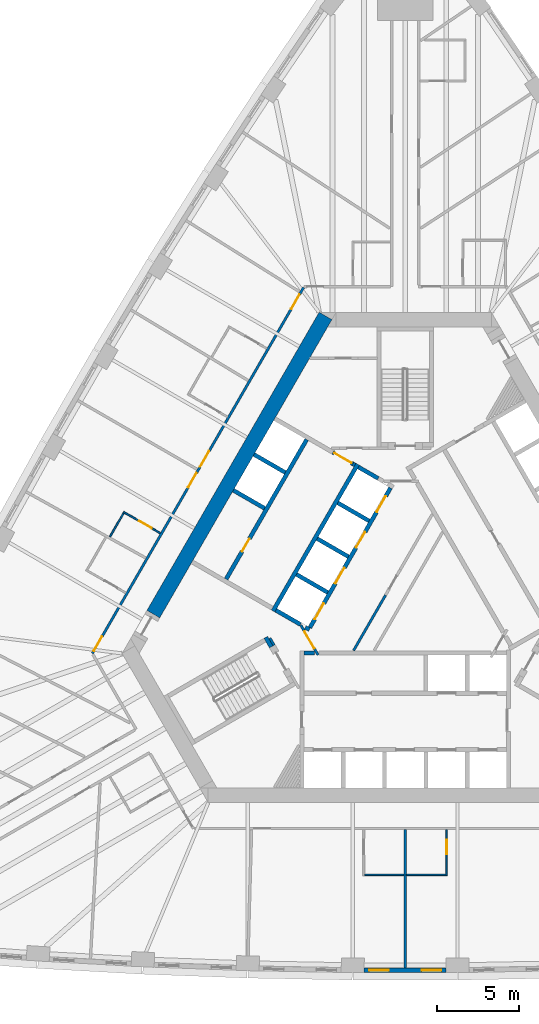
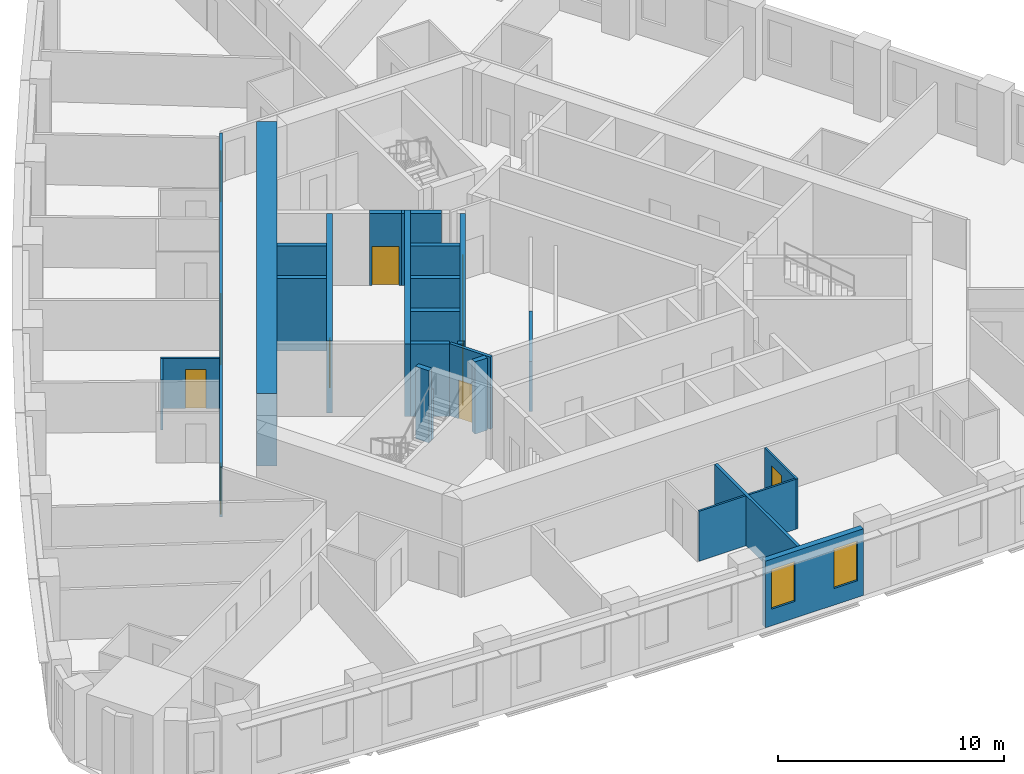
# One storey, part 5 of 12: 27 walls, 13 doors, 2 windows, 15 openings.
"""IFC4 building model written with IfcOpenShell, lengths in metres."""

from ifc_helpers import new_model, si_unit, direction, frame, frame_2d, origin, place, context, subcontext, project, spatial, polyline, rectangle, outline, extrude, material, layer, layer_set, type_object, element, fill, save


model = new_model("IFC4")

# Units and contexts
model_context = context("Model", 3, precision=1e-05, world=origin(), true_north=direction((0.0, 1.0)))
body_context = subcontext(model_context, "Body", "Model", "MODEL_VIEW")
ifc_project = project(units=[si_unit("LENGTHUNIT", "METRE"), si_unit("AREAUNIT", "SQUARE_METRE"), si_unit("VOLUMEUNIT", "CUBIC_METRE"), si_unit("PLANEANGLEUNIT", "RADIAN"), si_unit("MASSUNIT", "GRAM", prefix="KILO")], contexts=[model_context])

# Site, building, storey
site_placement = place(None, origin())
site = spatial("IfcSite", under=ifc_project, at=site_placement, CompositionType="ELEMENT")
building_placement = place(site_placement, origin())
building = spatial("IfcBuilding", under=site, at=building_placement, Name="Mestral Congress Tower", CompositionType="ELEMENT")
storey_placement = place(building_placement, frame((0.0, 0.0, 74.39990234375)))
storey = spatial("IfcBuildingStorey", under=building, at=storey_placement, Name="L17", CompositionType="ELEMENT", Elevation=74.39990234375)

# Walls
ifc_material_1 = material(Name="Fire-rated board partition")
ifc_layer_1 = layer(ifc_material_1, 0.14990234375)
ifc_layer_set_1 = layer_set([ifc_layer_1], Name="Fire-rated board partition")
wall_type_1 = type_object("IfcWallType", Name="Core partition 150", PredefinedType="PARTITIONING", material=ifc_layer_set_1)
wall_1_placement = place(storey_placement, frame((-8.251953125, -2.958251953125, 0.0), z_axis=(0.0, 0.0, 1.0), x_axis=(0.500174715838, -0.865924508047, 0.0)))
element("IfcWall", 1, at=wall_1_placement, inside=storey, type_object=wall_type_1, Name="L17 core wall", PredefinedType="PARTITIONING", context=body_context, shape_type="SweptSolid", body=[
    extrude(rectangle(XDim=0.513916015625, YDim=0.14990234375, at=frame_2d((0.2568359375, 0.0))), origin(), (0.0, 0.0, 1.0), 2.7001953125),
])
wall_2_placement = place(storey_placement, frame((-3.146728515625, -3.71826171875, 0.0), z_axis=(0.0, 0.0, 1.0), x_axis=(0.500010131483, 0.866019554291, 0.0)))
element("IfcWall", 2, at=wall_2_placement, inside=storey, type_object=wall_type_1, Name="L17 core wall", PredefinedType="PARTITIONING", context=body_context, shape_type="SweptSolid", body=[
    extrude(rectangle(XDim=3.8935546875, YDim=0.14990234375, at=frame_2d((1.94677734375, 0.0))), origin(), (0.0, 0.0, 1.0), 2.7001953125),
])
ifc_material_2 = material(Name="Concrete C60/75", Category="concrete")
ifc_layer_2 = layer(ifc_material_2, 0.89990234375)
ifc_layer_set_2 = layer_set([ifc_layer_2], Name="Concrete C60/75")
wall_type_2 = type_object("IfcWallType", Name="Core wall RC 900", PredefinedType="SOLIDWALL", material=ifc_layer_set_2)
wall_3_placement = place(storey_placement, frame((-15.359619140625, -1.50341796875, 0.0), z_axis=(0.0, 0.0, 1.0), x_axis=(0.50000389221, 0.866023156604, 0.0)))
element("IfcWall", 3, at=wall_3_placement, inside=storey, type_object=wall_type_2, Name="L17 core wall", PredefinedType="SOLIDWALL", context=body_context, shape_type="SweptSolid", body=[
    extrude(rectangle(XDim=21.000244140625, YDim=0.89990234375, at=frame_2d((10.5, 0.0))), origin(), (0.0, 0.0, 1.0), 3.900146484375),
])

# Wall, openings, windows
ifc_material_3 = material(Name="Precast concrete C40/50 with limestone facing", Category="masonry")
ifc_layer_3 = layer(ifc_material_3, 0.2900390625)
ifc_layer_set_3 = layer_set([ifc_layer_3], Name="Precast concrete C40/50 with limestone facing")
wall_type_3 = type_object("IfcWallType", Name="Facade stone wall 290", PredefinedType="SOLIDWALL", material=ifc_layer_set_3)
wall_4_placement = place(storey_placement, frame((-2.4990234375, -23.21826171875, 0.0), z_axis=(0.0, 0.0, 1.0), x_axis=(1.0, 0.0, 0.0)))
wall_4 = element("IfcWall", 4, at=wall_4_placement, inside=storey, type_object=wall_type_3, Name="Facade wall F0-04", PredefinedType="SOLIDWALL", context=body_context, shape_type="SweptSolid", body=[
    extrude(rectangle(XDim=4.998046875, YDim=0.2900390625, at=frame_2d((2.4990234375, 0.0))), origin(), (0.0, 0.0, 1.0), 3.60009765625),
])
opening_1_placement = place(wall_4_placement, frame((0.297119140625, 0.0, 0.89990234375)))
opening_1 = element("IfcOpeningElement", 5, at=opening_1_placement, cuts=wall_4, Name="Opening W1", PredefinedType="OPENING", context=body_context, shape_type="SweptSolid", body=[
    extrude(rectangle(XDim=1.199951171875, YDim=2.14990234375, at=frame_2d((0.60009765625, 1.074951171875))), frame((0.0, 0.155029296875, 0.0), z_axis=(0.0, -1.0, 0.0), x_axis=(1.0, 0.0, 0.0)), (0.0, 0.0, 1.0), 0.31005859375),
])
opening_2_placement = place(wall_4_placement, frame((3.501220703125, 0.0, 0.89990234375)))
opening_2 = element("IfcOpeningElement", 6, at=opening_2_placement, cuts=wall_4, Name="Opening W1", PredefinedType="OPENING", context=body_context, shape_type="SweptSolid", body=[
    extrude(rectangle(XDim=1.199951171875, YDim=2.14990234375, at=frame_2d((0.60009765625, 1.074951171875))), frame((0.0, 0.155029296875, 0.0), z_axis=(0.0, -1.0, 0.0), x_axis=(1.0, 0.0, 0.0)), (0.0, 0.0, 1.0), 0.31005859375),
])
ifc_material_4 = material(Name="Clear low-emissivity double glazing", Category="glass")
window_type = type_object("IfcWindowType", Name="Facade punched window 1200 x 2150 sill 900", PartitioningType="DOUBLE_PANEL_VERTICAL", PredefinedType="WINDOW", material=ifc_material_4)
window_1_placement = place(opening_1_placement, origin())
window_1 = element("IfcWindow", 7, at=window_1_placement, inside=storey, type_object=window_type, Name="Window F0-04a", OverallHeight=2.14990234375, OverallWidth=1.199951171875, PartitioningType="DOUBLE_PANEL_VERTICAL", PredefinedType="WINDOW", context=body_context, shape_type="SweptSolid", body=[
    extrude(rectangle(XDim=1.199951171875, YDim=2.14990234375, at=frame_2d((0.60009765625, 1.074951171875))), frame((0.0, 0.01513671875, 0.0), z_axis=(0.0, -1.0, 0.0), x_axis=(1.0, 0.0, 0.0)), (0.0, 0.0, 1.0), 0.06005859375),
])
fill(opening_1, window_1)
window_2_placement = place(opening_2_placement, origin())
window_2 = element("IfcWindow", 8, at=window_2_placement, inside=storey, type_object=window_type, Name="Window F0-04b", OverallHeight=2.14990234375, OverallWidth=1.199951171875, PartitioningType="DOUBLE_PANEL_VERTICAL", PredefinedType="WINDOW", context=body_context, shape_type="SweptSolid", body=[
    extrude(rectangle(XDim=1.199951171875, YDim=2.14990234375, at=frame_2d((0.60009765625, 1.074951171875))), frame((0.0, 0.01513671875, 0.0), z_axis=(0.0, -1.0, 0.0), x_axis=(1.0, 0.0, 0.0)), (0.0, 0.0, 1.0), 0.06005859375),
])
fill(opening_2, window_2)

# Wall
ifc_material_5 = material(Name="Gypsum board partition on metal studs with mineral wool", Category="composite")
ifc_layer_4 = layer(ifc_material_5, 0.10009765625)
ifc_layer_set_4 = layer_set([ifc_layer_4], Name="Gypsum board partition on metal studs with mineral wool")
wall_type_4 = type_object("IfcWallType", Name="Hotel partition wall 100", PredefinedType="PARTITIONING", material=ifc_layer_set_4)
wall_5_placement = place(storey_placement, frame((-2.47607421875, -17.39990234375, 0.0), z_axis=(0.0, 0.0, 1.0), x_axis=(1.0, 0.0, 0.0)))
element("IfcWall", 9, at=wall_5_placement, inside=storey, type_object=wall_type_4, Name="L17-h-pod03b", PredefinedType="PARTITIONING", context=body_context, shape_type="SweptSolid", body=[
    extrude(rectangle(XDim=2.400146484375, YDim=0.10009765625, at=frame_2d((1.2001953125, 0.0))), origin(), (0.0, 0.0, 1.0), 2.7001953125),
])

# Wall, opening, door
wall_6_placement = place(storey_placement, frame((2.52490234375, -17.449951171875, 0.0), z_axis=(0.0, 0.0, 1.0), x_axis=(0.0, 1.0, 0.0)))
wall_6 = element("IfcWall", 10, at=wall_6_placement, inside=storey, type_object=wall_type_4, Name="L17-h-pod04a", PredefinedType="PARTITIONING", context=body_context, shape_type="SweptSolid", body=[
    extrude(rectangle(XDim=2.800048828125, YDim=0.10009765625, at=frame_2d((1.39990234375, 0.0))), origin(), (0.0, 0.0, 1.0), 2.7001953125),
])
opening_3_placement = place(wall_6_placement, frame((1.300048828125, 0.0, 0.0)))
opening_3 = element("IfcOpeningElement", 11, at=opening_3_placement, cuts=wall_6, Name="Opening H05-008", PredefinedType="OPENING", context=body_context, shape_type="SweptSolid", body=[
    extrude(rectangle(XDim=0.89990234375, YDim=2.10009765625, at=frame_2d((0.449951171875, 1.050048828125))), frame((0.0, 0.06005859375, 0.0), z_axis=(0.0, -1.0, 0.0), x_axis=(1.0, 0.0, 0.0)), (0.0, 0.0, 1.0), 0.1201171875),
])
ifc_material_6 = material(Name="Timber veneer door leaf in timber frame", Category="wood")
door_type_1 = type_object("IfcDoorType", Name="Bathroom door 900", OperationType="SINGLE_SWING_LEFT", PredefinedType="DOOR", material=ifc_material_6)
door_1_placement = place(opening_3_placement, origin())
door_1 = element("IfcDoor", 12, at=door_1_placement, inside=storey, type_object=door_type_1, Name="L17-h-d008", OperationType="SINGLE_SWING_LEFT", OverallHeight=2.10009765625, OverallWidth=0.89990234375, PredefinedType="DOOR", context=body_context, shape_type="SweptSolid", body=[
    extrude(rectangle(XDim=0.89990234375, YDim=2.10009765625, at=frame_2d((0.449951171875, 1.050048828125))), frame((0.0, 0.02490234375, 0.0), z_axis=(0.0, -1.0, 0.0), x_axis=(1.0, 0.0, 0.0)), (0.0, 0.0, 1.0), 0.050048828125),
])
fill(opening_3, door_1)

# Wall
wall_7_placement = place(storey_placement, frame((2.47509765625, -17.39990234375, 0.0), z_axis=(0.0, 0.0, 1.0), x_axis=(-1.0, 0.0, 0.0)))
element("IfcWall", 13, at=wall_7_placement, inside=storey, type_object=wall_type_4, Name="L17-h-pod04b", PredefinedType="PARTITIONING", context=body_context, shape_type="SweptSolid", body=[
    extrude(rectangle(XDim=2.400146484375, YDim=0.10009765625, at=frame_2d((1.2001953125, 0.0))), origin(), (0.0, 0.0, 1.0), 2.7001953125),
])

# Wall, opening, door
wall_8_placement = place(storey_placement, frame((-14.93505859375, 3.431884765625, 0.0), z_axis=(0.0, 0.0, 1.0), x_axis=(-0.865997922154, 0.500047596559, 0.0)))
wall_8 = element("IfcWall", 14, at=wall_8_placement, inside=storey, type_object=wall_type_4, Name="L17-h-pod19a", PredefinedType="PARTITIONING", context=body_context, shape_type="SweptSolid", body=[
    extrude(rectangle(XDim=2.599853515625, YDim=0.10009765625, at=frame_2d((1.2998046875, 0.0))), origin(), (0.0, 0.0, 1.0), 2.7001953125),
])
opening_4_placement = place(wall_8_placement, frame((0.60009765625, 0.0, 0.0)))
opening_4 = element("IfcOpeningElement", 15, at=opening_4_placement, cuts=wall_8, Name="Opening H05-035", PredefinedType="OPENING", context=body_context, shape_type="SweptSolid", body=[
    extrude(rectangle(XDim=0.89990234375, YDim=2.10009765625, at=frame_2d((0.449951171875, 1.050048828125))), frame((0.0, 0.06005859375, 0.0), z_axis=(0.0, -1.0, 0.0), x_axis=(1.0, 0.0, 0.0)), (0.0, 0.0, 1.0), 0.1201171875),
])
door_2_placement = place(opening_4_placement, origin())
door_2 = element("IfcDoor", 16, at=door_2_placement, inside=storey, type_object=door_type_1, Name="L17-h-d035", OperationType="SINGLE_SWING_LEFT", OverallHeight=2.10009765625, OverallWidth=0.89990234375, PredefinedType="DOOR", context=body_context, shape_type="SweptSolid", body=[
    extrude(rectangle(XDim=0.89990234375, YDim=2.10009765625, at=frame_2d((0.449951171875, 1.050048828125))), frame((0.0, 0.02490234375, 0.0), z_axis=(0.0, -1.0, 0.0), x_axis=(1.0, 0.0, 0.0)), (0.0, 0.0, 1.0), 0.050048828125),
])
fill(opening_4, door_2)

# Wall
wall_9_placement = place(storey_placement, frame((-17.168212890625, 4.66357421875, 0.0), z_axis=(0.0, 0.0, 1.0), x_axis=(-0.500085185139, -0.865976216535, 0.0)))
element("IfcWall", 17, at=wall_9_placement, inside=storey, type_object=wall_type_4, Name="L17-h-pod19b", PredefinedType="PARTITIONING", context=body_context, shape_type="SweptSolid", body=[
    extrude(rectangle(XDim=1.670166015625, YDim=0.10009765625, at=frame_2d((0.8349609375, 0.0))), origin(), (0.0, 0.0, 1.0), 2.7001953125),
])

# Wall, openings, doors
ifc_layer_5 = layer(ifc_material_5, 0.14990234375)
ifc_layer_set_5 = layer_set([ifc_layer_5], Name="Gypsum board partition on metal studs with mineral wool")
wall_type_5 = type_object("IfcWallType", Name="Hotel partition wall 150", PredefinedType="PARTITIONING", material=ifc_layer_set_5)
wall_10_placement = place(storey_placement, frame((-19.081298828125, -3.89990234375, 0.0), z_axis=(0.0, 0.0, 1.0), x_axis=(0.499998313975, 0.866026377209, 0.0)))
wall_10 = element("IfcWall", 18, at=wall_10_placement, inside=storey, type_object=wall_type_5, Name="L17-h-cw08", PredefinedType="PARTITIONING", context=body_context, shape_type="SweptSolid", body=[
    extrude(rectangle(XDim=25.76611328125, YDim=0.14990234375, at=frame_2d((12.883056640625, 0.0))), origin(), (0.0, 0.0, 1.0), 2.7001953125),
])
opening_5_placement = place(wall_10_placement, frame((24.264892578125, 0.0, 0.0)))
opening_5 = element("IfcOpeningElement", 19, at=opening_5_placement, cuts=wall_10, Name="Opening H05-030", PredefinedType="OPENING", context=body_context, shape_type="SweptSolid", body=[
    extrude(rectangle(XDim=1.0, YDim=2.10009765625, at=frame_2d((0.5, 1.050048828125))), frame((0.0, 0.0849609375, 0.0), z_axis=(0.0, -1.0, 0.0), x_axis=(1.0, 0.0, 0.0)), (0.0, 0.0, 1.0), 0.169921875),
])
opening_6_placement = place(wall_10_placement, frame((13.1455078125, 0.0, 0.0)))
opening_6 = element("IfcOpeningElement", 20, at=opening_6_placement, cuts=wall_10, Name="Opening H05-032", PredefinedType="OPENING", context=body_context, shape_type="SweptSolid", body=[
    extrude(rectangle(XDim=1.10009765625, YDim=2.10009765625, at=frame_2d((0.550048828125, 1.050048828125))), frame((0.0, 0.0849609375, 0.0), z_axis=(0.0, -1.0, 0.0), x_axis=(1.0, 0.0, 0.0)), (0.0, 0.0, 1.0), 0.169921875),
])
opening_7_placement = place(wall_10_placement, frame((11.692626953125, 0.0, 0.0)))
opening_7 = element("IfcOpeningElement", 21, at=opening_7_placement, cuts=wall_10, Name="Opening H05-034", PredefinedType="OPENING", context=body_context, shape_type="SweptSolid", body=[
    extrude(rectangle(XDim=1.0, YDim=2.10009765625, at=frame_2d((0.5, 1.050048828125))), frame((0.0, 0.0849609375, 0.0), z_axis=(0.0, -1.0, 0.0), x_axis=(1.0, 0.0, 0.0)), (0.0, 0.0, 1.0), 0.169921875),
])
opening_8_placement = place(wall_10_placement, frame((0.179931640625, 0.0, 0.0)))
opening_8 = element("IfcOpeningElement", 22, at=opening_8_placement, cuts=wall_10, Name="Opening H05-036", PredefinedType="OPENING", context=body_context, shape_type="SweptSolid", body=[
    extrude(rectangle(XDim=1.0, YDim=2.10009765625, at=frame_2d((0.5, 1.050048828125))), frame((0.0, 0.0849609375, 0.0), z_axis=(0.0, -1.0, 0.0), x_axis=(1.0, 0.0, 0.0)), (0.0, 0.0, 1.0), 0.169921875),
])
ifc_material_7 = material(Name="Timber veneer door leaf in metal frame", Category="wood")
door_type_2 = type_object("IfcDoorType", Name="Accessible room entrance door 1100", OperationType="SINGLE_SWING_LEFT", PredefinedType="DOOR", material=ifc_material_7)
door_3_placement = place(opening_6_placement, origin())
door_3 = element("IfcDoor", 23, at=door_3_placement, inside=storey, type_object=door_type_2, Name="L17-h-d032", OperationType="SINGLE_SWING_LEFT", OverallHeight=2.10009765625, OverallWidth=1.10009765625, PredefinedType="DOOR", context=body_context, shape_type="SweptSolid", body=[
    extrude(rectangle(XDim=1.10009765625, YDim=2.10009765625, at=frame_2d((0.550048828125, 1.050048828125))), frame((0.0, 0.02490234375, 0.0), z_axis=(0.0, -1.0, 0.0), x_axis=(1.0, 0.0, 0.0)), (0.0, 0.0, 1.0), 0.050048828125),
])
fill(opening_6, door_3)
door_type_3 = type_object("IfcDoorType", Name="Guest room entrance door 1000", OperationType="SINGLE_SWING_LEFT", PredefinedType="DOOR", material=ifc_material_7)
door_4_placement = place(opening_5_placement, origin())
door_4 = element("IfcDoor", 24, at=door_4_placement, inside=storey, type_object=door_type_3, Name="L17-h-d030", OperationType="SINGLE_SWING_RIGHT", OverallHeight=2.10009765625, OverallWidth=1.0, PredefinedType="DOOR", context=body_context, shape_type="SweptSolid", body=[
    extrude(rectangle(XDim=1.0, YDim=2.10009765625, at=frame_2d((0.5, 1.050048828125))), frame((0.0, 0.02490234375, 0.0), z_axis=(0.0, -1.0, 0.0), x_axis=(1.0, 0.0, 0.0)), (0.0, 0.0, 1.0), 0.050048828125),
])
fill(opening_5, door_4)
door_5_placement = place(opening_7_placement, origin())
door_5 = element("IfcDoor", 25, at=door_5_placement, inside=storey, type_object=door_type_3, Name="L17-h-d034", OperationType="SINGLE_SWING_RIGHT", OverallHeight=2.10009765625, OverallWidth=1.0, PredefinedType="DOOR", context=body_context, shape_type="SweptSolid", body=[
    extrude(rectangle(XDim=1.0, YDim=2.10009765625, at=frame_2d((0.5, 1.050048828125))), frame((0.0, 0.02490234375, 0.0), z_axis=(0.0, -1.0, 0.0), x_axis=(1.0, 0.0, 0.0)), (0.0, 0.0, 1.0), 0.050048828125),
])
fill(opening_7, door_5)
door_6_placement = place(opening_8_placement, origin())
door_6 = element("IfcDoor", 26, at=door_6_placement, inside=storey, type_object=door_type_3, Name="L17-h-d036", OperationType="SINGLE_SWING_LEFT", OverallHeight=2.10009765625, OverallWidth=1.0, PredefinedType="DOOR", context=body_context, shape_type="SweptSolid", body=[
    extrude(rectangle(XDim=1.0, YDim=2.10009765625, at=frame_2d((0.5, 1.050048828125))), frame((0.0, 0.02490234375, 0.0), z_axis=(0.0, -1.0, 0.0), x_axis=(1.0, 0.0, 0.0)), (0.0, 0.0, 1.0), 0.050048828125),
])
fill(opening_8, door_6)

# Walls
wall_11_placement = place(storey_placement, frame((0.0, -23.0732421875, 0.0), z_axis=(0.0, 0.0, 1.0), x_axis=(0.0, 1.0, 0.0)))
element("IfcWall", 27, at=wall_11_placement, inside=storey, type_object=wall_type_5, Name="L17-h-pw12", PredefinedType="PARTITIONING", context=body_context, shape_type="SweptSolid", body=[
    extrude(rectangle(XDim=8.42333984375, YDim=0.14990234375, at=frame_2d((4.211669921875, 0.0))), origin(), (0.0, 0.0, 1.0), 2.7001953125),
])
ifc_layer_6 = layer(ifc_material_2, 0.25)
ifc_layer_set_6 = layer_set([ifc_layer_6], Name="Concrete C60/75")
wall_type_6 = type_object("IfcWallType", Name="Shaft wall RC 250", PredefinedType="SOLIDWALL", material=ifc_layer_set_6)
wall_12_placement = place(storey_placement, frame((-6.175048828125, -3.875, 0.0), z_axis=(0.0, 0.0, 1.0), x_axis=(1.0, 0.0, 0.0)))
element("IfcWall", 28, at=wall_12_placement, inside=storey, type_object=wall_type_6, Name="L17 core wall", PredefinedType="SOLIDWALL", context=body_context, shape_type="SweptSolid", body=[
    extrude(rectangle(XDim=0.63671875, YDim=0.25, at=frame_2d((0.318359375, 0.0))), origin(), (0.0, 0.0, 1.0), 3.900146484375),
])
wall_13_placement = place(storey_placement, frame((-8.06005859375, -1.310546875, 0.0), z_axis=(0.0, 0.0, 1.0), x_axis=(0.50000273126, 0.866023826885, 0.0)))
element("IfcWall", 29, at=wall_13_placement, inside=storey, type_object=wall_type_6, Name="L17 core wall", PredefinedType="SOLIDWALL", context=body_context, shape_type="SweptSolid", body=[
    extrude(rectangle(XDim=10.330078125, YDim=0.25, at=frame_2d((5.1650390625, 0.0))), origin(), (0.0, 0.0, 1.0), 3.900146484375),
])
wall_14_placement = place(storey_placement, frame((-1.6474609375, 6.770751953125, 0.0), z_axis=(0.0, 0.0, 1.0), x_axis=(-0.865971728693, 0.500092956464, 0.0)))
element("IfcWall", 30, at=wall_14_placement, inside=storey, type_object=wall_type_6, Name="L17 core wall", PredefinedType="SOLIDWALL", context=body_context, shape_type="SweptSolid", body=[
    extrude(rectangle(XDim=1.387939453125, YDim=0.25, at=frame_2d((0.69384765625, 0.0))), origin(), (0.0, 0.0, 1.0), 3.900146484375),
])
for number, where, z_axis, x_axis, name in (
    (31, (-2.2041015625, 4.182373046875, 0.0), (0.0, 0.0, 1.0), (-0.866008176907, 0.50002983664, 0.0), "L17 core wall"),
    (32, (-5.369384765625, 3.10009765625, 0.0), (0.0, 0.0, 1.0), (0.866008176907, -0.50002983664, 0.0), "L17 core wall"),
    (33, (-4.72412109375, -0.182373046875, 0.0), (0.0, 0.0, 1.0), (-0.866008176907, 0.50002983664, 0.0), "L17 core wall"),
):
    element("IfcWall", number, at=place(storey_placement, frame(where, z_axis=z_axis, x_axis=x_axis)), inside=storey, type_object=wall_type_6, Name=name, PredefinedType="SOLIDWALL", context=body_context, shape_type="SweptSolid", body=[
        extrude(rectangle(XDim=2.199951171875, YDim=0.25, at=frame_2d((1.10009765625, 0.0))), origin(), (0.0, 0.0, 1.0), 3.900146484375),
    ])
wall_15_placement = place(storey_placement, frame((-6.088134765625, -2.3046875, 0.0), z_axis=(0.0, 0.0, 1.0), x_axis=(0.866059450854, -0.499941024108, 0.0)))
element("IfcWall", 34, at=wall_15_placement, inside=storey, type_object=wall_type_6, Name="L17 core wall", PredefinedType="SOLIDWALL", context=body_context, shape_type="SweptSolid", body=[
    extrude(rectangle(XDim=0.2900390625, YDim=0.25, at=frame_2d((0.14501953125, 0.0))), origin(), (0.0, 0.0, 1.0), 3.900146484375),
])
wall_16_placement = place(storey_placement, frame((-7.889404296875, -1.2646484375, 0.0), z_axis=(0.0, 0.0, 1.0), x_axis=(0.865986741702, -0.500066958712, 0.0)))
element("IfcWall", 35, at=wall_16_placement, inside=storey, type_object=wall_type_6, Name="L17 core wall", PredefinedType="SOLIDWALL", context=body_context, shape_type="SweptSolid", body=[
    extrude(rectangle(XDim=1.738037109375, YDim=0.25, at=frame_2d((0.869140625, 0.0))), origin(), (0.0, 0.0, 1.0), 3.900146484375),
])
wall_17_placement = place(storey_placement, origin())
element("IfcWall", 36, at=wall_17_placement, inside=storey, type_object=wall_type_6, Name="L17 core wall", PredefinedType="SOLIDWALL", context=body_context, shape_type="SweptSolid", body=[
    extrude(outline(polyline([(-3.12841796875, 7.4814453125), (-3.2587890625, 7.556640625), (-3.1337890625, 7.773193359375), (-3.00341796875, 7.697998046875), (-3.12841796875, 7.4814453125)])), origin(), (0.0, 0.0, 1.0), 3.900146484375),
])
for number, where, z_axis, x_axis, name in (
    (37, (-8.57373046875, 4.949951171875, 0.0), (0.0, 0.0, 1.0), (-0.866008176907, 0.50002983664, 0.0), "L17 core wall"),
    (38, (-7.313720703125, 7.13232421875, 0.0), (0.0, 0.0, 1.0), (-0.866008176907, 0.50002983664, 0.0), "L17 core wall"),
):
    element("IfcWall", number, at=place(storey_placement, frame(where, z_axis=z_axis, x_axis=x_axis)), inside=storey, type_object=wall_type_6, Name=name, PredefinedType="SOLIDWALL", context=body_context, shape_type="SweptSolid", body=[
        extrude(rectangle(XDim=2.199951171875, YDim=0.25, at=frame_2d((1.10009765625, 0.0))), origin(), (0.0, 0.0, 1.0), 3.900146484375),
    ])

# Wall, opening, door
wall_18_placement = place(storey_placement, frame((-6.0078125, 9.14404296875, 0.0), z_axis=(0.0, 0.0, 1.0), x_axis=(-0.500006956611, -0.866021387346, 0.0)))
wall_18 = element("IfcWall", 39, at=wall_18_placement, inside=storey, type_object=wall_type_6, Name="L17 door wall", PredefinedType="SOLIDWALL", context=body_context, shape_type="SweptSolid", body=[
    extrude(rectangle(XDim=9.829833984375, YDim=0.25, at=frame_2d((4.9150390625, 0.0))), origin(), (0.0, 0.0, 1.0), 3.900146484375),
])
opening_9_placement = place(wall_18_placement, frame((6.985107421875, 0.0, 0.0)))
opening_9 = element("IfcOpeningElement", 40, at=opening_9_placement, cuts=wall_18, Name="Opening SR-NWA2", PredefinedType="OPENING", context=body_context, shape_type="SweptSolid", body=[
    extrude(rectangle(XDim=0.89990234375, YDim=2.10009765625, at=frame_2d((0.449951171875, 1.050048828125))), frame((0.0, 0.135009765625, 0.0), z_axis=(0.0, -1.0, 0.0), x_axis=(1.0, 0.0, 0.0)), (0.0, 0.0, 1.0), 0.27001953125),
])
ifc_material_8 = material(Name="Fire-rated steel door set", Category="steel")
door_type_4 = type_object("IfcDoorType", Name="Core door SR 900x2100", OperationType="SINGLE_SWING_LEFT", PredefinedType="DOOR", material=ifc_material_8)
door_7_placement = place(opening_9_placement, origin())
door_7 = element("IfcDoor", 41, at=door_7_placement, inside=storey, type_object=door_type_4, Name="Door SR-NWA2", OperationType="SINGLE_SWING_LEFT", OverallHeight=2.10009765625, OverallWidth=0.89990234375, PredefinedType="DOOR", context=body_context, shape_type="SweptSolid", body=[
    extrude(rectangle(XDim=0.89990234375, YDim=2.10009765625, at=frame_2d((0.449951171875, 1.050048828125))), frame((0.0, 0.02490234375, 0.0), z_axis=(0.0, -1.0, 0.0), x_axis=(1.0, 0.0, 0.0)), (0.0, 0.0, 1.0), 0.050048828125),
])
fill(opening_9, door_7)

# Wall, openings, doors
wall_19_placement = place(storey_placement, frame((-0.898193359375, 6.194091796875, 0.0), z_axis=(0.0, 0.0, 1.0), x_axis=(-0.499996202215, -0.866027596426, 0.0)))
wall_19 = element("IfcWall", 42, at=wall_19_placement, inside=storey, type_object=wall_type_6, Name="L17 door wall", PredefinedType="SOLIDWALL", context=body_context, shape_type="SweptSolid", body=[
    extrude(rectangle(XDim=9.830078125, YDim=0.25, at=frame_2d((4.9150390625, 0.0))), origin(), (0.0, 0.0, 1.0), 3.900146484375),
])
opening_10_placement = place(wall_19_placement, frame((0.5849609375, 0.0, 0.0)))
opening_10 = element("IfcOpeningElement", 43, at=opening_10_placement, cuts=wall_19, Name="Opening LD-NWB1", PredefinedType="OPENING", context=body_context, shape_type="SweptSolid", body=[
    extrude(rectangle(XDim=1.10009765625, YDim=2.10009765625, at=frame_2d((0.550048828125, 1.050048828125))), frame((0.0, 0.135009765625, 0.0), z_axis=(0.0, -1.0, 0.0), x_axis=(1.0, 0.0, 0.0)), (0.0, 0.0, 1.0), 0.27001953125),
])
opening_11_placement = place(wall_19_placement, frame((3.10498046875, 0.0, 0.0)))
opening_11 = element("IfcOpeningElement", 44, at=opening_11_placement, cuts=wall_19, Name="Opening LD-NWB2", PredefinedType="OPENING", context=body_context, shape_type="SweptSolid", body=[
    extrude(rectangle(XDim=1.10009765625, YDim=2.10009765625, at=frame_2d((0.550048828125, 1.050048828125))), frame((0.0, 0.135009765625, 0.0), z_axis=(0.0, -1.0, 0.0), x_axis=(1.0, 0.0, 0.0)), (0.0, 0.0, 1.0), 0.27001953125),
])
opening_12_placement = place(wall_19_placement, frame((5.625, 0.0, 0.0)))
opening_12 = element("IfcOpeningElement", 45, at=opening_12_placement, cuts=wall_19, Name="Opening LD-NWB3", PredefinedType="OPENING", context=body_context, shape_type="SweptSolid", body=[
    extrude(rectangle(XDim=1.10009765625, YDim=2.10009765625, at=frame_2d((0.550048828125, 1.050048828125))), frame((0.0, 0.135009765625, 0.0), z_axis=(0.0, -1.0, 0.0), x_axis=(1.0, 0.0, 0.0)), (0.0, 0.0, 1.0), 0.27001953125),
])
opening_13_placement = place(wall_19_placement, frame((8.14501953125, 0.0, 0.0)))
opening_13 = element("IfcOpeningElement", 46, at=opening_13_placement, cuts=wall_19, Name="Opening LD-NWB4", PredefinedType="OPENING", context=body_context, shape_type="SweptSolid", body=[
    extrude(rectangle(XDim=1.10009765625, YDim=2.10009765625, at=frame_2d((0.550048828125, 1.050048828125))), frame((0.0, 0.135009765625, 0.0), z_axis=(0.0, -1.0, 0.0), x_axis=(1.0, 0.0, 0.0)), (0.0, 0.0, 1.0), 0.27001953125),
])
door_type_5 = type_object("IfcDoorType", Name="Core door LD 1100x2100", OperationType="DOUBLE_DOOR_SLIDING", PredefinedType="DOOR", material=ifc_material_8)
door_8_placement = place(opening_10_placement, origin())
door_8 = element("IfcDoor", 47, at=door_8_placement, inside=storey, type_object=door_type_5, Name="Door LD-NWB1", OperationType="DOUBLE_DOOR_SLIDING", OverallHeight=2.10009765625, OverallWidth=1.10009765625, PredefinedType="DOOR", context=body_context, shape_type="SweptSolid", body=[
    extrude(rectangle(XDim=1.10009765625, YDim=2.10009765625, at=frame_2d((0.550048828125, 1.050048828125))), frame((0.0, 0.02490234375, 0.0), z_axis=(0.0, -1.0, 0.0), x_axis=(1.0, 0.0, 0.0)), (0.0, 0.0, 1.0), 0.050048828125),
])
fill(opening_10, door_8)
door_9_placement = place(opening_11_placement, origin())
door_9 = element("IfcDoor", 48, at=door_9_placement, inside=storey, type_object=door_type_5, Name="Door LD-NWB2", OperationType="DOUBLE_DOOR_SLIDING", OverallHeight=2.10009765625, OverallWidth=1.10009765625, PredefinedType="DOOR", context=body_context, shape_type="SweptSolid", body=[
    extrude(rectangle(XDim=1.10009765625, YDim=2.10009765625, at=frame_2d((0.550048828125, 1.050048828125))), frame((0.0, 0.02490234375, 0.0), z_axis=(0.0, -1.0, 0.0), x_axis=(1.0, 0.0, 0.0)), (0.0, 0.0, 1.0), 0.050048828125),
])
fill(opening_11, door_9)
door_10_placement = place(opening_12_placement, origin())
door_10 = element("IfcDoor", 49, at=door_10_placement, inside=storey, type_object=door_type_5, Name="Door LD-NWB3", OperationType="DOUBLE_DOOR_SLIDING", OverallHeight=2.10009765625, OverallWidth=1.10009765625, PredefinedType="DOOR", context=body_context, shape_type="SweptSolid", body=[
    extrude(rectangle(XDim=1.10009765625, YDim=2.10009765625, at=frame_2d((0.550048828125, 1.050048828125))), frame((0.0, 0.02490234375, 0.0), z_axis=(0.0, -1.0, 0.0), x_axis=(1.0, 0.0, 0.0)), (0.0, 0.0, 1.0), 0.050048828125),
])
fill(opening_12, door_10)
door_11_placement = place(opening_13_placement, origin())
door_11 = element("IfcDoor", 50, at=door_11_placement, inside=storey, type_object=door_type_5, Name="Door LD-NWB4", OperationType="DOUBLE_DOOR_SLIDING", OverallHeight=2.10009765625, OverallWidth=1.10009765625, PredefinedType="DOOR", context=body_context, shape_type="SweptSolid", body=[
    extrude(rectangle(XDim=1.10009765625, YDim=2.10009765625, at=frame_2d((0.550048828125, 1.050048828125))), frame((0.0, 0.02490234375, 0.0), z_axis=(0.0, -1.0, 0.0), x_axis=(1.0, 0.0, 0.0)), (0.0, 0.0, 1.0), 0.050048828125),
])
fill(opening_13, door_11)

# Wall, opening, door
wall_20_placement = place(storey_placement, frame((-4.40869140625, 8.364990234375, 0.0), z_axis=(0.0, 0.0, 1.0), x_axis=(0.866034573852, -0.49998411664, 0.0)))
wall_20 = element("IfcWall", 51, at=wall_20_placement, inside=storey, type_object=wall_type_6, Name="L17 door wall", PredefinedType="SOLIDWALL", context=body_context, shape_type="SweptSolid", body=[
    extrude(rectangle(XDim=1.39990234375, YDim=0.25, at=frame_2d((0.699951171875, 0.0))), origin(), (0.0, 0.0, 1.0), 3.900146484375),
])
opening_14_placement = place(wall_20_placement, frame((0.10009765625, 0.0, 0.0)))
opening_14 = element("IfcOpeningElement", 52, at=opening_14_placement, cuts=wall_20, Name="Opening LB2-WL2", PredefinedType="OPENING", context=body_context, shape_type="SweptSolid", body=[
    extrude(rectangle(XDim=1.199951171875, YDim=2.10009765625, at=frame_2d((0.60009765625, 1.050048828125))), frame((0.0, 0.135009765625, 0.0), z_axis=(0.0, -1.0, 0.0), x_axis=(1.0, 0.0, 0.0)), (0.0, 0.0, 1.0), 0.27001953125),
])
door_type_6 = type_object("IfcDoorType", Name="Core door LB 1200x2100", OperationType="SINGLE_SWING_LEFT", PredefinedType="DOOR", material=ifc_material_8)
door_12_placement = place(opening_14_placement, origin())
door_12 = element("IfcDoor", 53, at=door_12_placement, inside=storey, type_object=door_type_6, Name="Door LB2-WL2", OperationType="SINGLE_SWING_LEFT", OverallHeight=2.10009765625, OverallWidth=1.199951171875, PredefinedType="DOOR", context=body_context, shape_type="SweptSolid", body=[
    extrude(rectangle(XDim=1.199951171875, YDim=2.10009765625, at=frame_2d((0.60009765625, 1.050048828125))), frame((0.0, 0.02490234375, 0.0), z_axis=(0.0, -1.0, 0.0), x_axis=(1.0, 0.0, 0.0)), (0.0, 0.0, 1.0), 0.050048828125),
])
fill(opening_14, door_12)

ifc_layer_7 = layer(ifc_material_2, 0.14990234375)
ifc_layer_set_7 = layer_set([ifc_layer_7], Name="Concrete C60/75")
wall_type_7 = type_object("IfcWallType", Name="Shaft wall RC 250 door-wall 150", PredefinedType="SOLIDWALL", material=ifc_layer_set_7)
wall_21_placement = place(storey_placement, frame((-5.3173828125, -3.98974609375, 0.0), z_axis=(0.0, 0.0, 1.0), x_axis=(-0.500027713859, 0.866009402589, 0.0)))
wall_21 = element("IfcWall", 54, at=wall_21_placement, inside=storey, type_object=wall_type_7, Name="L17 door wall", PredefinedType="PARTITIONING", context=body_context, shape_type="SweptSolid", body=[
    extrude(rectangle(XDim=2.10009765625, YDim=0.14990234375, at=frame_2d((1.050048828125, 0.0))), origin(), (0.0, 0.0, 1.0), 3.900146484375),
])
opening_15_placement = place(wall_21_placement, frame((0.449951171875, 0.0, 0.0)))
opening_15 = element("IfcOpeningElement", 55, at=opening_15_placement, cuts=wall_21, Name="Opening CD3-FF", PredefinedType="OPENING", context=body_context, shape_type="SweptSolid", body=[
    extrude(rectangle(XDim=1.199951171875, YDim=2.10009765625, at=frame_2d((0.60009765625, 1.050048828125))), frame((0.0, 0.0849609375, 0.0), z_axis=(0.0, -1.0, 0.0), x_axis=(1.0, 0.0, 0.0)), (0.0, 0.0, 1.0), 0.169921875),
])
door_type_7 = type_object("IfcDoorType", Name="Core door CD 1200x2100", OperationType="SINGLE_SWING_LEFT", PredefinedType="DOOR", material=ifc_material_8)
door_13_placement = place(opening_15_placement, origin())
door_13 = element("IfcDoor", 56, at=door_13_placement, inside=storey, type_object=door_type_7, Name="Door CD3-FF", OperationType="SINGLE_SWING_LEFT", OverallHeight=2.10009765625, OverallWidth=1.199951171875, PredefinedType="DOOR", context=body_context, shape_type="SweptSolid", body=[
    extrude(rectangle(XDim=1.199951171875, YDim=2.10009765625, at=frame_2d((0.60009765625, 1.050048828125))), frame((0.0, 0.02490234375, 0.0), z_axis=(0.0, -1.0, 0.0), x_axis=(1.0, 0.0, 0.0)), (0.0, 0.0, 1.0), 0.050048828125),
])
fill(opening_15, door_13)

# Wall
ifc_layer_8 = layer(ifc_material_2, 0.25)
ifc_layer_set_8 = layer_set([ifc_layer_8], Name="Concrete C60/75")
wall_type_8 = type_object("IfcWallType", Name="Stair wall RC 250", PredefinedType="SOLIDWALL", material=ifc_layer_set_8)
wall_22_placement = place(storey_placement, frame((-8.167724609375, -3.503173828125, 0.0), z_axis=(0.0, 0.0, 1.0), x_axis=(-0.499952099219, 0.866053057547, 0.0)))
element("IfcWall", 57, at=wall_22_placement, inside=storey, type_object=wall_type_8, Name="L17 core wall", PredefinedType="SOLIDWALL", context=body_context, shape_type="SweptSolid", body=[
    extrude(rectangle(XDim=0.6748046875, YDim=0.25, at=frame_2d((0.33740234375, 0.0))), origin(), (0.0, 0.0, 1.0), 3.900146484375),
])

save(model, "model.ifc")
